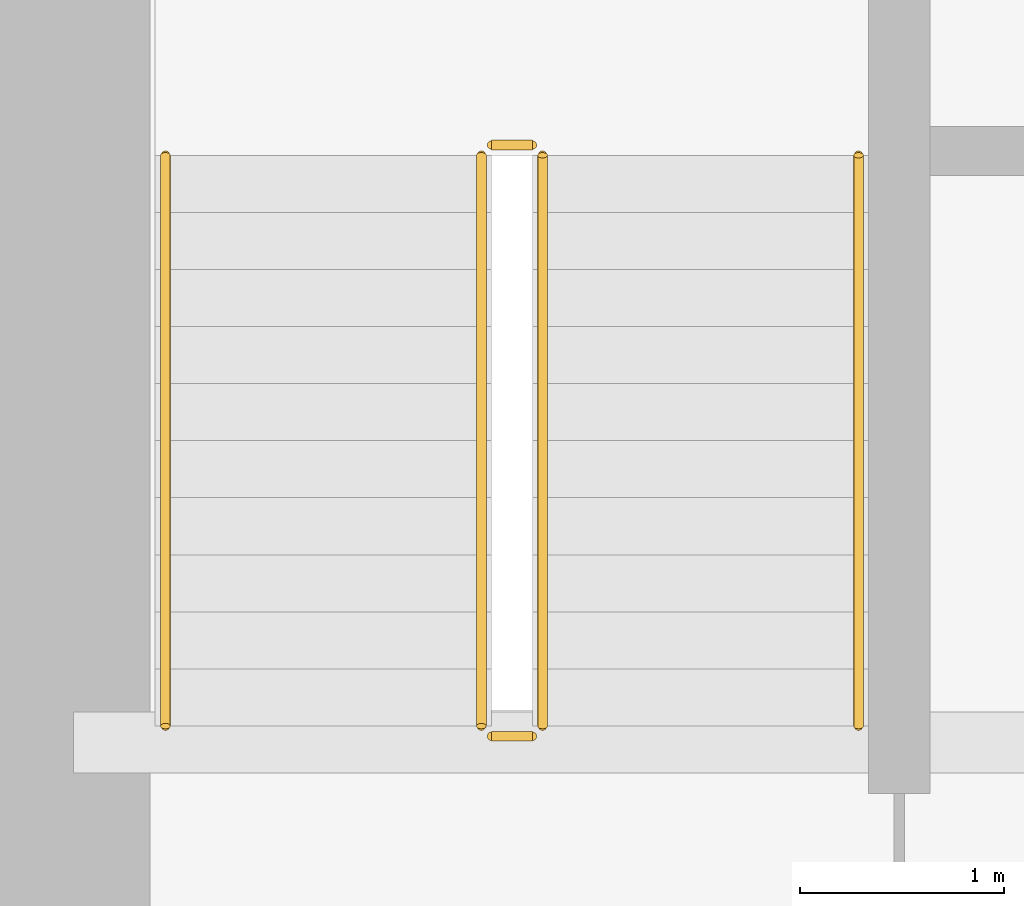
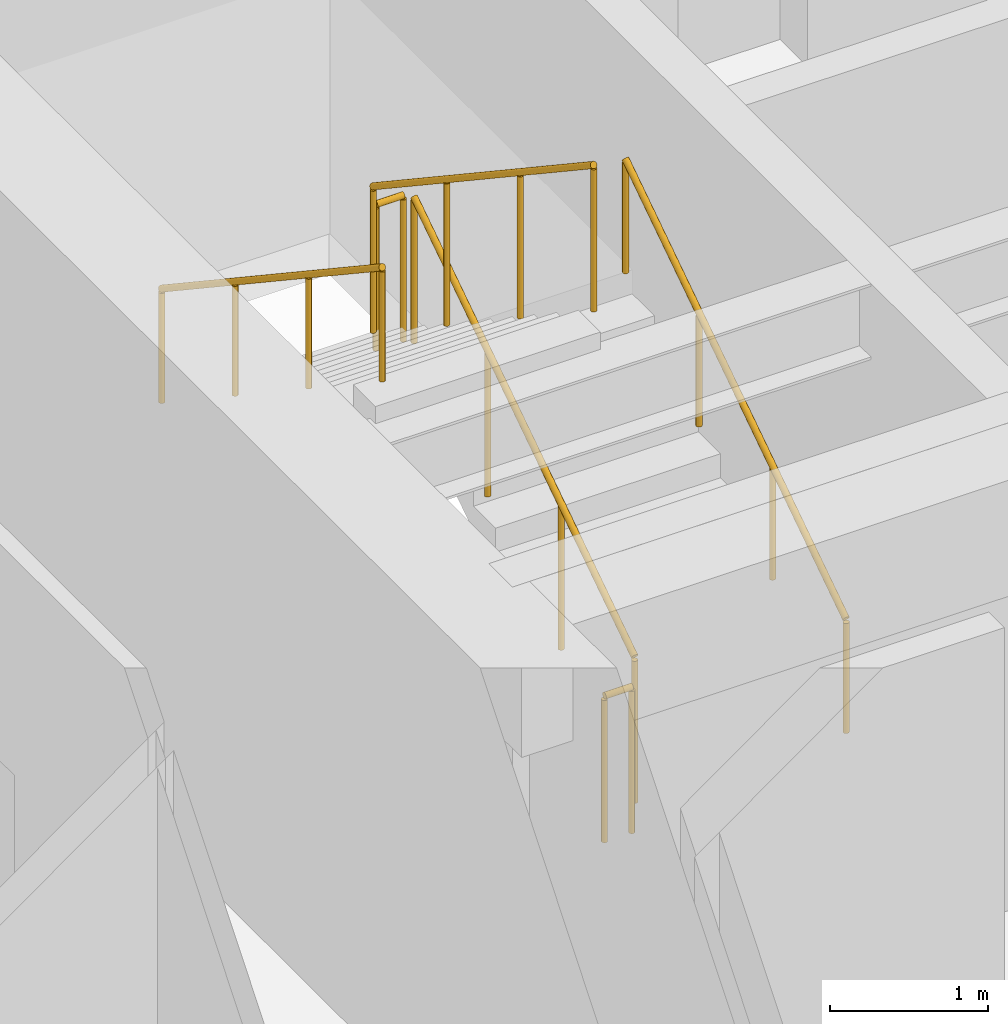
# One storey, part 34 of 35: 6 railings.
"""IFC4 building model written with IfcOpenShell, lengths in metres."""

from ifc_helpers import new_model, si_unit, direction, frame, origin, origin_2d, place, context, subcontext, project, spatial, circle, extrude, source, transform, mapped, material, type_object, type_shapes, element, save


model = new_model("IFC4")

# Units and contexts
model_context = context("Model", 3, precision=1e-05, world=origin(), true_north=direction((0.0, 1.0)))
body_context = subcontext(model_context, "Body", "Model", "MODEL_VIEW")
ifc_project = project(units=[si_unit("LENGTHUNIT", "METRE"), si_unit("AREAUNIT", "SQUARE_METRE"), si_unit("VOLUMEUNIT", "CUBIC_METRE"), si_unit("PLANEANGLEUNIT", "RADIAN"), si_unit("MASSUNIT", "GRAM", prefix="KILO")], contexts=[model_context])

# Site, building, storey
site_placement = place(None, origin())
site = spatial("IfcSite", under=ifc_project, at=site_placement, CompositionType="ELEMENT")
building_placement = place(site_placement, origin())
building = spatial("IfcBuilding", under=site, at=building_placement, Name="Haelvirn Gate Laboratories", CompositionType="ELEMENT")
storey_placement = place(building_placement, frame((0.0, 0.0, 90.800048828125)))
storey = spatial("IfcBuildingStorey", under=building, at=storey_placement, Name="L22", CompositionType="ELEMENT", Elevation=90.800048828125)

# Railings
ifc_material_1 = material(Name="Galvanised steel SM355 & stainless top rail", Category="steel")
railing_type_1 = type_object("IfcRailingType", Name="RL-GUARD-1150", PredefinedType="GUARDRAIL", material=ifc_material_1)
shared_shape_1 = source(origin(), body_context, "Body", "SweptSolid", [
    extrude(circle(Radius=0.02392578125, at=origin_2d()), frame((0.0, 0.0, 1.1259765625), z_axis=(-1.0, 0.0, 0.0), x_axis=(0.0, -1.0, 0.0)), (0.0, 0.0, 1.0), 0.199951171875),
    extrude(circle(Radius=0.02099609375, at=origin_2d()), origin(), (0.0, 0.0, 1.0), 1.101806640625),
    extrude(circle(Radius=0.02099609375, at=origin_2d()), frame((-0.199951171875, 0.0, 0.0)), (0.0, 0.0, 1.0), 1.101806640625),
])
for number, where, name in (
    (1, (9.64990234375, 29.550048828125, 2.050048828125), "L22 ST1 stair guard 2"),
    (2, (9.64990234375, 26.64990234375, 0.0), "L22 ST1 stair guard 4"),
):
    element("IfcRailing", number, at=place(storey_placement, frame(where)), inside=storey, type_object=railing_type_1, Name=name, PredefinedType="GUARDRAIL", context=body_context, shape_type="MappedRepresentation", body=[
        mapped(shared_shape_1, transform((0.0, 0.0, 0.0), scale=1.0)),
    ])
shared_shape_2 = source(origin(), body_context, "Body", "SweptSolid", [
    extrude(circle(Radius=0.02392578125, at=origin_2d()), frame((0.0, 0.0, 1.1259765625), z_axis=(0.0, 0.832452072856, 0.554097055034), x_axis=(-1.0, 0.0, 0.0)), (0.0, 0.0, 1.0), 3.363525390625),
    extrude(circle(Radius=0.02099609375, at=origin_2d()), origin(), (0.0, 0.0, 1.0), 1.101806640625),
    extrude(circle(Radius=0.02099609375, at=origin_2d()), frame((0.0, 0.933349609375, 0.621337890625)), (0.0, 0.0, 1.0), 1.101806640625),
    extrude(circle(Radius=0.02099609375, at=origin_2d()), frame((0.0, 1.86669921875, 1.242431640625)), (0.0, 0.0, 1.0), 1.101806640625),
    extrude(circle(Radius=0.02099609375, at=origin_2d()), frame((0.0, 2.800048828125, 1.86376953125)), (0.0, 0.0, 1.0), 1.101806640625),
])
railing_1_placement = place(storey_placement, frame((9.699951171875, 26.699951171875, 0.186279296875)))
element("IfcRailing", 3, at=railing_1_placement, inside=storey, type_object=railing_type_1, Name="L22 ST1 stair guard 1", PredefinedType="GUARDRAIL", context=body_context, shape_type="MappedRepresentation", body=[
    mapped(shared_shape_2, transform((0.0, 0.0, 0.0), scale=1.0)),
])
shared_shape_3 = source(origin(), body_context, "Body", "SweptSolid", [
    extrude(circle(Radius=0.02392578125, at=origin_2d()), frame((0.0, 0.0, 1.1259765625), z_axis=(0.0, -0.832485552168, 0.554046753832), x_axis=(1.0, 0.0, 0.0)), (0.0, 0.0, 1.0), 3.363525390625),
    extrude(circle(Radius=0.02099609375, at=origin_2d()), origin(), (0.0, 0.0, 1.0), 1.101806640625),
    extrude(circle(Radius=0.02099609375, at=origin_2d()), frame((0.0, -0.933349609375, 0.62109375)), (0.0, 0.0, 1.0), 1.101806640625),
    extrude(circle(Radius=0.02099609375, at=origin_2d()), frame((0.0, -1.86669921875, 1.242431640625)), (0.0, 0.0, 1.0), 1.101806640625),
    extrude(circle(Radius=0.02099609375, at=origin_2d()), frame((0.0, -2.800048828125, 1.863525390625)), (0.0, 0.0, 1.0), 1.101806640625),
])
type_shapes(railing_type_1, [shared_shape_1, shared_shape_2, shared_shape_3])
railing_2_placement = place(storey_placement, frame((9.39990234375, 29.5, 2.236328125)))
element("IfcRailing", 4, at=railing_2_placement, inside=storey, type_object=railing_type_1, Name="L22 ST1 stair guard 3", PredefinedType="GUARDRAIL", context=body_context, shape_type="MappedRepresentation", body=[
    mapped(shared_shape_3, transform((0.0, 0.0, 0.0), scale=1.0)),
])
ifc_material_2 = material(Name="Brushed stainless steel 316L", Category="steel")
railing_type_2 = type_object("IfcRailingType", Name="RL-HAND-920", PredefinedType="HANDRAIL", material=ifc_material_2)
shared_shape_4 = source(origin(), body_context, "Body", "SweptSolid", [
    extrude(circle(Radius=0.02392578125, at=origin_2d()), frame((0.0, 0.0, 0.8759765625), z_axis=(0.0, 0.832452072856, 0.554097055034), x_axis=(-1.0, 0.0, 0.0)), (0.0, 0.0, 1.0), 3.363525390625),
    extrude(circle(Radius=0.02099609375, at=origin_2d()), origin(), (0.0, 0.0, 1.0), 0.851806640625),
    extrude(circle(Radius=0.02099609375, at=origin_2d()), frame((0.0, 0.933349609375, 0.621337890625)), (0.0, 0.0, 1.0), 0.851806640625),
    extrude(circle(Radius=0.02099609375, at=origin_2d()), frame((0.0, 1.86669921875, 1.242431640625)), (0.0, 0.0, 1.0), 0.851806640625),
    extrude(circle(Radius=0.02099609375, at=origin_2d()), frame((0.0, 2.800048828125, 1.86376953125)), (0.0, 0.0, 1.0), 0.851806640625),
])
railing_3_placement = place(storey_placement, frame((11.25, 26.699951171875, 0.186279296875)))
element("IfcRailing", 5, at=railing_3_placement, inside=storey, type_object=railing_type_2, Name="L22 ST1 stair handrail 1", PredefinedType="HANDRAIL", context=body_context, shape_type="MappedRepresentation", body=[
    mapped(shared_shape_4, transform((0.0, 0.0, 0.0), scale=1.0)),
])
shared_shape_5 = source(origin(), body_context, "Body", "SweptSolid", [
    extrude(circle(Radius=0.02392578125, at=origin_2d()), frame((0.0, 0.0, 0.8759765625), z_axis=(0.0, -0.832485552168, 0.554046753832), x_axis=(1.0, 0.0, 0.0)), (0.0, 0.0, 1.0), 3.363525390625),
    extrude(circle(Radius=0.02099609375, at=origin_2d()), origin(), (0.0, 0.0, 1.0), 0.851806640625),
    extrude(circle(Radius=0.02099609375, at=origin_2d()), frame((0.0, -0.933349609375, 0.62109375)), (0.0, 0.0, 1.0), 0.851806640625),
    extrude(circle(Radius=0.02099609375, at=origin_2d()), frame((0.0, -1.86669921875, 1.242431640625)), (0.0, 0.0, 1.0), 0.851806640625),
    extrude(circle(Radius=0.02099609375, at=origin_2d()), frame((0.0, -2.800048828125, 1.863525390625)), (0.0, 0.0, 1.0), 0.851806640625),
])
type_shapes(railing_type_2, [shared_shape_4, shared_shape_5])
railing_4_placement = place(storey_placement, frame((7.85009765625, 29.5, 2.236328125)))
element("IfcRailing", 6, at=railing_4_placement, inside=storey, type_object=railing_type_2, Name="L22 ST1 stair handrail 2", PredefinedType="HANDRAIL", context=body_context, shape_type="MappedRepresentation", body=[
    mapped(shared_shape_5, transform((0.0, 0.0, 0.0), scale=1.0)),
])

save(model, "model.ifc")
